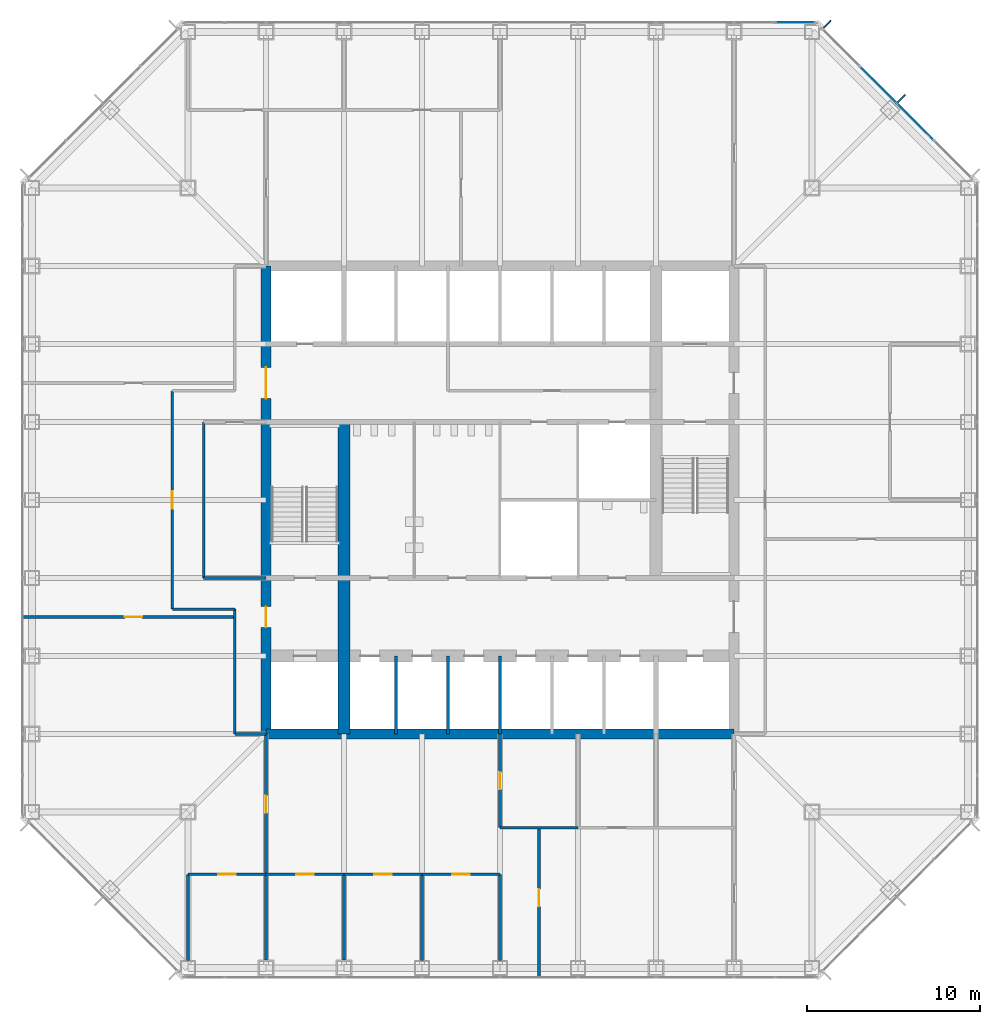
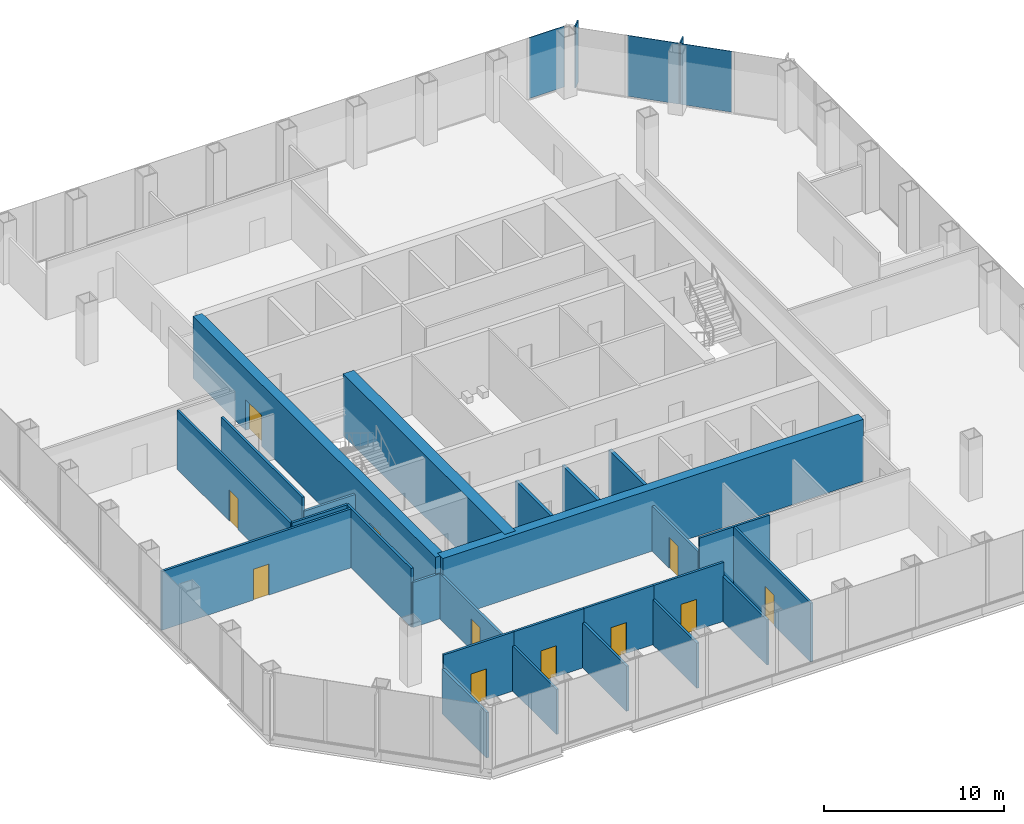
# One storey, part 8 of 12: 26 walls, 11 doors, 5 plates, 11 openings, 2 elements without a shape of their own.
"""IFC4 building model written with IfcOpenShell, lengths in metres."""

from ifc_helpers import new_model, si_unit, direction, frame, frame_2d, origin, origin_2d, place, context, subcontext, project, spatial, rectangle, extrude, material, layer, layer_set, type_object, element, fill, aggregate, save


model = new_model("IFC4")

# Units and contexts
model_context = context("Model", 3, precision=1e-05, world=origin(), true_north=direction((0.0, 1.0)))
body_context = subcontext(model_context, "Body", "Model", "MODEL_VIEW")
ifc_project = project(units=[si_unit("LENGTHUNIT", "METRE"), si_unit("AREAUNIT", "SQUARE_METRE"), si_unit("VOLUMEUNIT", "CUBIC_METRE"), si_unit("PLANEANGLEUNIT", "RADIAN"), si_unit("MASSUNIT", "GRAM", prefix="KILO")], contexts=[model_context])

# Site, building, storey
site_placement = place(None, origin())
site = spatial("IfcSite", under=ifc_project, at=site_placement, CompositionType="ELEMENT")
building_placement = place(site_placement, origin())
building = spatial("IfcBuilding", under=site, at=building_placement, Name="Corais Broadcast Tower", CompositionType="ELEMENT")
storey_placement = place(building_placement, frame((0.0, 0.0, 100.39990234375)))
storey = spatial("IfcBuildingStorey", under=building, at=storey_placement, Name="L22", CompositionType="ELEMENT", Elevation=100.39990234375)

# Curtain wall, plate
ifc_material_1 = material(Name="Aluminium and glass", Category="aluminium")
curtain_wall_type = type_object("IfcCurtainWallType", Name="Unitised fritted curtain wall CW1", PredefinedType="NOTDEFINED", material=ifc_material_1)
curtain_wall_1_placement = place(storey_placement, origin())
curtain_wall_1 = element("IfcCurtainWall", 1, at=curtain_wall_1_placement, inside=storey, type_object=curtain_wall_type, Name="CW1 curtain wall L22 5", PredefinedType="NOTDEFINED")
ifc_material_2 = material(Name="Ceramic-fritted laminated glass", Category="glass")
ifc_layer_1 = layer(ifc_material_2, 0.030029296875)
ifc_layer_set_1 = layer_set([ifc_layer_1], Name="Ceramic-fritted laminated glass")
plate_type_1 = type_object("IfcPlateType", Name="Fritted glass panel CW1", PredefinedType="CURTAIN_PANEL", material=ifc_layer_set_1)
plate_1_placement = place(storey_placement, frame((50.9658203125, 48.81201171875, 0.06494140625), z_axis=(0.0, 0.0, 1.0), x_axis=(0.707106781187, -0.707106781187, 0.0)))
plate_1 = element("IfcPlate", 2, at=plate_1_placement, type_object=plate_type_1, Name="CW1 panel 3", PredefinedType="CURTAIN_PANEL", context=body_context, shape_type="SweptSolid", body=[
    extrude(rectangle(XDim=2.98095703125, YDim=0.030029296875, at=origin_2d()), origin(), (0.0, 0.0, 1.0), 4.135009765625),
])

curtain_wall_2_placement = place(storey_placement, origin())
curtain_wall_2 = element("IfcCurtainWall", 3, at=curtain_wall_2_placement, inside=storey, type_object=curtain_wall_type, Name="CW1 curtain wall L22 4", PredefinedType="NOTDEFINED")
ifc_material_3 = material(Name="Clear laminated glass", Category="glass")
ifc_layer_2 = layer(ifc_material_3, 0.033935546875)
ifc_layer_set_2 = layer_set([ifc_layer_2], Name="Clear laminated glass")
plate_type_2 = type_object("IfcPlateType", Name="Operable glass panel CW1", PredefinedType="CURTAIN_PANEL", material=ifc_layer_set_2)
plate_2_placement = place(storey_placement, frame((44.029541015625, 54.550048828125, 0.06494140625), z_axis=(0.0, 0.0, 1.0), x_axis=(1.0, 0.0, 0.0)))
plate_2 = element("IfcPlate", 4, at=plate_2_placement, type_object=plate_type_2, Name="CW1 operable panel 10", PredefinedType="CURTAIN_PANEL", context=body_context, shape_type="SweptSolid", body=[
    extrude(rectangle(XDim=2.266357421875, YDim=0.033935546875, at=origin_2d()), origin(), (0.0, 0.0, 1.0), 4.135009765625),
])
aggregate(curtain_wall_2, [plate_2])

# Plate
plate_3_placement = place(storey_placement, frame((48.81201171875, 50.9658203125, 0.06494140625), z_axis=(0.0, 0.0, 1.0), x_axis=(0.707106781187, -0.707106781187, 0.0)))
plate_3 = element("IfcPlate", 5, at=plate_3_placement, type_object=plate_type_2, Name="CW1 operable panel 2", PredefinedType="CURTAIN_PANEL", context=body_context, shape_type="SweptSolid", body=[
    extrude(rectangle(XDim=2.98095703125, YDim=0.033935546875, at=origin_2d()), origin(), (0.0, 0.0, 1.0), 4.135009765625),
])

aggregate(curtain_wall_1, [plate_3, plate_1])

# Plates
ifc_material_4 = material(Name="Granite stone cladding", Category="masonry")
ifc_layer_3 = layer(ifc_material_4, 0.080078125)
ifc_layer_set_3 = layer_set([ifc_layer_3], Name="Granite stone cladding")
plate_type_3 = type_object("IfcPlateType", Name="Stone screen fin 80x600", PredefinedType="USERDEFINED", material=ifc_layer_set_3)
for number, where, z_axis, x_axis, name in (
    (6, (45.885009765625, 54.4541015625, 0.0), (0.0, 0.0, 1.0), (0.707106781187, -0.707106781187, 0.0), "SF1 stone screen fin L22"),
    (7, (50.169677734375, 50.169677734375, 0.0), (0.0, 0.0, 1.0), (0.707106781187, -0.707106781187, 0.0), "SF1 stone screen fin L22"),
):
    element("IfcPlate", number, at=place(storey_placement, frame(where, z_axis=z_axis, x_axis=x_axis)), inside=storey, type_object=plate_type_3, Name=name, ObjectType="STONE SCREEN FIN", PredefinedType="USERDEFINED", context=body_context, shape_type="SweptSolid", body=[
        extrude(rectangle(XDim=0.080078125, YDim=0.60009765625, at=origin_2d()), origin(), (0.0, 0.0, 1.0), 4.199951171875),
    ])

# Walls
ifc_material_5 = material(Name="Concrete C50/60", Category="concrete")
ifc_layer_4 = layer(ifc_material_5, 0.699951171875)
ifc_layer_set_4 = layer_set([ifc_layer_4], Name="Concrete C50/60")
wall_type_1 = type_object("IfcWallType", Name="Core spine wall 700", PredefinedType="SHEAR", material=ifc_layer_set_4)
wall_1_placement = place(storey_placement, frame((18.0, 13.5, 0.0), z_axis=(0.0, 0.0, 1.0), x_axis=(0.0, 1.0, 0.0)))
element("IfcWall", 8, at=wall_1_placement, inside=storey, type_object=wall_type_1, Name="CR700 core wall X18A L22", PredefinedType="SHEAR", context=body_context, shape_type="SweptSolid", body=[
    extrude(rectangle(XDim=18.0, YDim=0.699951171875, at=frame_2d((9.0, 0.0))), origin(), (0.0, 0.0, 1.0), 4.2001953125),
])
ifc_material_6 = material(Name="Concrete C50/60", Category="concrete")
ifc_layer_5 = layer(ifc_material_6, 0.60009765625)
ifc_layer_set_5 = layer_set([ifc_layer_5], Name="Concrete C50/60")
wall_type_2 = type_object("IfcWallType", Name="Core wall 600", PredefinedType="SHEAR", material=ifc_layer_set_5)
wall_2_placement = place(storey_placement, frame((13.5, 13.5, 0.0), z_axis=(0.0, 0.0, 1.0), x_axis=(1.0, 0.0, 0.0)))
element("IfcWall", 9, at=wall_2_placement, inside=storey, type_object=wall_type_2, Name="CR600 core wall S L22", PredefinedType="SHEAR", context=body_context, shape_type="SweptSolid", body=[
    extrude(rectangle(XDim=27.0, YDim=0.60009765625, at=frame_2d((13.5, 0.0))), origin(), (0.0, 0.0, 1.0), 4.2001953125),
])

# Wall, openings, doors
wall_3_placement = place(storey_placement, frame((13.5, 40.5, 0.0), z_axis=(0.0, 0.0, 1.0), x_axis=(0.0, -1.0, 0.0)))
wall_3 = element("IfcWall", 10, at=wall_3_placement, inside=storey, type_object=wall_type_2, Name="CR600 core wall W L22", PredefinedType="SHEAR", context=body_context, shape_type="SweptSolid", body=[
    extrude(rectangle(XDim=27.0, YDim=0.60009765625, at=frame_2d((13.5, 0.0))), origin(), (0.0, 0.0, 1.0), 4.2001953125),
])
opening_1_placement = place(wall_3_placement, frame((19.64990234375, 0.0, 0.0)))
opening_1 = element("IfcOpeningElement", 11, at=opening_1_placement, cuts=wall_3, Name="Opening FD1", PredefinedType="OPENING", context=body_context, shape_type="SweptSolid", body=[
    extrude(rectangle(XDim=1.199951171875, YDim=2.10009765625, at=frame_2d((0.60009765625, 1.050048828125))), frame((0.0, 0.31005859375, 0.0), z_axis=(0.0, -1.0, 0.0), x_axis=(1.0, 0.0, 0.0)), (0.0, 0.0, 1.0), 0.6201171875),
])
opening_2_placement = place(wall_3_placement, frame((5.85009765625, 0.0, 0.0)))
opening_2 = element("IfcOpeningElement", 12, at=opening_2_placement, cuts=wall_3, Name="Opening FD2", PredefinedType="OPENING", context=body_context, shape_type="SweptSolid", body=[
    extrude(rectangle(XDim=1.800048828125, YDim=2.10009765625, at=frame_2d((0.89990234375, 1.050048828125))), frame((0.0, 0.31005859375, 0.0), z_axis=(0.0, -1.0, 0.0), x_axis=(1.0, 0.0, 0.0)), (0.0, 0.0, 1.0), 0.6201171875),
])
ifc_material_7 = material(Name="Steel fire door", Category="steel")
door_type_1 = type_object("IfcDoorType", Name="Fire door 1200x2100", OperationType="SINGLE_SWING_LEFT", PredefinedType="DOOR", material=ifc_material_7)
door_1_placement = place(opening_1_placement, origin())
door_1 = element("IfcDoor", 13, at=door_1_placement, inside=storey, type_object=door_type_1, Name="FD1 fire lobby A door L22", OperationType="SINGLE_SWING_RIGHT", OverallHeight=2.10009765625, OverallWidth=1.199951171875, PredefinedType="DOOR", context=body_context, shape_type="SweptSolid", body=[
    extrude(rectangle(XDim=1.199951171875, YDim=2.10009765625, at=frame_2d((0.60009765625, 1.050048828125))), frame((0.0, 0.02490234375, 0.0), z_axis=(0.0, -1.0, 0.0), x_axis=(1.0, 0.0, 0.0)), (0.0, 0.0, 1.0), 0.050048828125),
])
fill(opening_1, door_1)
ifc_material_8 = material(Name="Steel fire door", Category="steel")
door_type_2 = type_object("IfcDoorType", Name="Fire door pair 1800x2100", OperationType="DOUBLE_DOOR_SINGLE_SWING", PredefinedType="DOOR", material=ifc_material_8)
door_2_placement = place(opening_2_placement, origin())
door_2 = element("IfcDoor", 14, at=door_2_placement, inside=storey, type_object=door_type_2, Name="FD2 lift lobby door L22", OperationType="SINGLE_SWING_LEFT", OverallHeight=2.10009765625, OverallWidth=1.800048828125, PredefinedType="DOOR", context=body_context, shape_type="SweptSolid", body=[
    extrude(rectangle(XDim=1.800048828125, YDim=2.10009765625, at=frame_2d((0.89990234375, 1.050048828125))), frame((0.0, 0.02490234375, 0.0), z_axis=(0.0, -1.0, 0.0), x_axis=(1.0, 0.0, 0.0)), (0.0, 0.0, 1.0), 0.050048828125),
])
fill(opening_2, door_2)

# Wall, opening, door
ifc_material_9 = material(Name="Gypsum board on steel studs", Category="steel")
ifc_layer_6 = layer(ifc_material_9, 0.14990234375)
ifc_layer_set_6 = layer_set([ifc_layer_6], Name="Gypsum board on steel studs")
wall_type_3 = type_object("IfcWallType", Name="Partition 150", PredefinedType="PARTITIONING", material=ifc_layer_set_6)
wall_4_placement = place(storey_placement, frame((8.10009765625, 33.300048828125, 0.0), z_axis=(0.0, 0.0, 1.0), x_axis=(0.0, -1.0, 0.0)))
wall_4 = element("IfcWall", 15, at=wall_4_placement, inside=storey, type_object=wall_type_3, Name="IW3 corridor wall L22", PredefinedType="PARTITIONING", context=body_context, shape_type="SweptSolid", body=[
    extrude(rectangle(XDim=12.60009765625, YDim=0.14990234375, at=frame_2d((6.300048828125, 0.0))), origin(), (0.0, 0.0, 1.0), 4.0),
])
opening_3_placement = place(wall_4_placement, frame((5.800048828125, 0.0, 0.0)))
opening_3 = element("IfcOpeningElement", 16, at=opening_3_placement, cuts=wall_4, Name="Opening D1", PredefinedType="OPENING", context=body_context, shape_type="SweptSolid", body=[
    extrude(rectangle(XDim=1.0, YDim=2.10009765625, at=frame_2d((0.5, 1.050048828125))), frame((0.0, 0.0849609375, 0.0), z_axis=(0.0, -1.0, 0.0), x_axis=(1.0, 0.0, 0.0)), (0.0, 0.0, 1.0), 0.169921875),
])
ifc_material_10 = material(Name="Timber door", Category="wood")
door_type_3 = type_object("IfcDoorType", Name="Single door 1000x2100", OperationType="SINGLE_SWING_LEFT", PredefinedType="DOOR", material=ifc_material_10)
door_3_placement = place(opening_3_placement, origin())
door_3 = element("IfcDoor", 17, at=door_3_placement, inside=storey, type_object=door_type_3, Name="D1 workplace door L22", OperationType="SINGLE_SWING_LEFT", OverallHeight=2.10009765625, OverallWidth=1.0, PredefinedType="DOOR", context=body_context, shape_type="SweptSolid", body=[
    extrude(rectangle(XDim=1.0, YDim=2.10009765625, at=frame_2d((0.5, 1.050048828125))), frame((0.0, 0.02490234375, 0.0), z_axis=(0.0, -1.0, 0.0), x_axis=(1.0, 0.0, 0.0)), (0.0, 0.0, 1.0), 0.050048828125),
])
fill(opening_3, door_3)

# Walls
wall_5_placement = place(storey_placement, frame((11.699951171875, 20.699951171875, 0.0), z_axis=(0.0, 0.0, 1.0), x_axis=(0.0, -1.0, 0.0)))
element("IfcWall", 18, at=wall_5_placement, inside=storey, type_object=wall_type_3, Name="IW3 corridor wall L22", PredefinedType="PARTITIONING", context=body_context, shape_type="SweptSolid", body=[
    extrude(rectangle(XDim=7.199951171875, YDim=0.14990234375, at=frame_2d((3.60009765625, 0.0))), origin(), (0.0, 0.0, 1.0), 4.0),
])
wall_6_placement = place(storey_placement, frame((8.10009765625, 20.699951171875, 0.0), z_axis=(0.0, 0.0, 1.0), x_axis=(1.0, 0.0, 0.0)))
element("IfcWall", 19, at=wall_6_placement, inside=storey, type_object=wall_type_3, Name="IW3 corridor wall L22", PredefinedType="PARTITIONING", context=body_context, shape_type="SweptSolid", body=[
    extrude(rectangle(XDim=3.599853515625, YDim=0.14990234375, at=frame_2d((1.7998046875, 0.0))), origin(), (0.0, 0.0, 1.0), 4.0),
])
wall_7_placement = place(storey_placement, frame((11.699951171875, 13.5, 0.0), z_axis=(0.0, 0.0, 1.0), x_axis=(1.0, 0.0, 0.0)))
element("IfcWall", 20, at=wall_7_placement, inside=storey, type_object=wall_type_3, Name="IW3 corridor wall L22", PredefinedType="PARTITIONING", context=body_context, shape_type="SweptSolid", body=[
    extrude(rectangle(XDim=1.81005859375, YDim=0.14990234375, at=frame_2d((0.905029296875, 0.0))), origin(), (0.0, 0.0, 1.0), 3.068115234375),
])
wall_8_placement = place(storey_placement, frame((13.5, 0.4599609375, 0.0), z_axis=(0.0, 0.0, 1.0), x_axis=(0.0, 1.0, 0.0)))
element("IfcWall", 21, at=wall_8_placement, inside=storey, type_object=wall_type_3, Name="IW3 partition L22", PredefinedType="PARTITIONING", context=body_context, shape_type="SweptSolid", body=[
    extrude(rectangle(XDim=4.93994140625, YDim=0.14990234375, at=frame_2d((2.469970703125, 0.0))), origin(), (0.0, 0.0, 1.0), 3.068115234375),
])

# Wall, opening, door
wall_9_placement = place(storey_placement, frame((13.5, 5.39990234375, 0.0), z_axis=(0.0, 0.0, 1.0), x_axis=(-1.0, 0.0, 0.0)))
wall_9 = element("IfcWall", 22, at=wall_9_placement, inside=storey, type_object=wall_type_3, Name="IW3 partition L22", PredefinedType="PARTITIONING", context=body_context, shape_type="SweptSolid", body=[
    extrude(rectangle(XDim=4.5, YDim=0.14990234375, at=frame_2d((2.25, 0.0))), origin(), (0.0, 0.0, 1.0), 4.0),
])
opening_4_placement = place(wall_9_placement, frame((1.75, 0.0, 0.0)))
opening_4 = element("IfcOpeningElement", 23, at=opening_4_placement, cuts=wall_9, Name="Opening D1", PredefinedType="OPENING", context=body_context, shape_type="SweptSolid", body=[
    extrude(rectangle(XDim=1.0, YDim=2.10009765625, at=frame_2d((0.5, 1.050048828125))), frame((0.0, 0.0849609375, 0.0), z_axis=(0.0, -1.0, 0.0), x_axis=(1.0, 0.0, 0.0)), (0.0, 0.0, 1.0), 0.169921875),
])
door_4_placement = place(opening_4_placement, origin())
door_4 = element("IfcDoor", 24, at=door_4_placement, inside=storey, type_object=door_type_3, Name="D1 Study room door", OperationType="SINGLE_SWING_LEFT", OverallHeight=2.10009765625, OverallWidth=1.0, PredefinedType="DOOR", context=body_context, shape_type="SweptSolid", body=[
    extrude(rectangle(XDim=1.0, YDim=2.10009765625, at=frame_2d((0.5, 1.050048828125))), frame((0.0, 0.02490234375, 0.0), z_axis=(0.0, -1.0, 0.0), x_axis=(1.0, 0.0, 0.0)), (0.0, 0.0, 1.0), 0.050048828125),
])
fill(opening_4, door_4)

# Walls
wall_10_placement = place(storey_placement, frame((9.0, 5.39990234375, 0.0), z_axis=(0.0, 0.0, 1.0), x_axis=(0.0, -1.0, 0.0)))
element("IfcWall", 25, at=wall_10_placement, inside=storey, type_object=wall_type_3, Name="IW3 partition L22", PredefinedType="PARTITIONING", context=body_context, shape_type="SweptSolid", body=[
    extrude(rectangle(XDim=4.96484375, YDim=0.14990234375, at=frame_2d((2.482421875, 0.0))), origin(), (0.0, 0.0, 1.0), 3.072998046875),
])
wall_11_placement = place(storey_placement, frame((18.0, 0.4599609375, 0.0), z_axis=(0.0, 0.0, 1.0), x_axis=(0.0, 1.0, 0.0)))
element("IfcWall", 26, at=wall_11_placement, inside=storey, type_object=wall_type_3, Name="IW3 partition L22", PredefinedType="PARTITIONING", context=body_context, shape_type="SweptSolid", body=[
    extrude(rectangle(XDim=4.93994140625, YDim=0.14990234375, at=frame_2d((2.469970703125, 0.0))), origin(), (0.0, 0.0, 1.0), 3.068115234375),
])

# Wall, opening, door
wall_12_placement = place(storey_placement, frame((18.0, 5.39990234375, 0.0), z_axis=(0.0, 0.0, 1.0), x_axis=(-1.0, 0.0, 0.0)))
wall_12 = element("IfcWall", 27, at=wall_12_placement, inside=storey, type_object=wall_type_3, Name="IW3 partition L22", PredefinedType="PARTITIONING", context=body_context, shape_type="SweptSolid", body=[
    extrude(rectangle(XDim=4.5, YDim=0.14990234375, at=frame_2d((2.25, 0.0))), origin(), (0.0, 0.0, 1.0), 4.0),
])
opening_5_placement = place(wall_12_placement, frame((1.75, 0.0, 0.0)))
opening_5 = element("IfcOpeningElement", 28, at=opening_5_placement, cuts=wall_12, Name="Opening D1", PredefinedType="OPENING", context=body_context, shape_type="SweptSolid", body=[
    extrude(rectangle(XDim=1.0, YDim=2.10009765625, at=frame_2d((0.5, 1.050048828125))), frame((0.0, 0.0849609375, 0.0), z_axis=(0.0, -1.0, 0.0), x_axis=(1.0, 0.0, 0.0)), (0.0, 0.0, 1.0), 0.169921875),
])
door_5_placement = place(opening_5_placement, origin())
door_5 = element("IfcDoor", 29, at=door_5_placement, inside=storey, type_object=door_type_3, Name="D1 Study room door", OperationType="SINGLE_SWING_LEFT", OverallHeight=2.10009765625, OverallWidth=1.0, PredefinedType="DOOR", context=body_context, shape_type="SweptSolid", body=[
    extrude(rectangle(XDim=1.0, YDim=2.10009765625, at=frame_2d((0.5, 1.050048828125))), frame((0.0, 0.02490234375, 0.0), z_axis=(0.0, -1.0, 0.0), x_axis=(1.0, 0.0, 0.0)), (0.0, 0.0, 1.0), 0.050048828125),
])
fill(opening_5, door_5)

# Wall
wall_13_placement = place(storey_placement, frame((22.5, 0.43505859375, 0.0), z_axis=(0.0, 0.0, 1.0), x_axis=(0.0, 1.0, 0.0)))
element("IfcWall", 30, at=wall_13_placement, inside=storey, type_object=wall_type_3, Name="IW3 partition L22", PredefinedType="PARTITIONING", context=body_context, shape_type="SweptSolid", body=[
    extrude(rectangle(XDim=4.96484375, YDim=0.14990234375, at=frame_2d((2.482421875, 0.0))), origin(), (0.0, 0.0, 1.0), 3.068115234375),
])

# Wall, opening, door
wall_14_placement = place(storey_placement, frame((22.5, 5.39990234375, 0.0), z_axis=(0.0, 0.0, 1.0), x_axis=(-1.0, 0.0, 0.0)))
wall_14 = element("IfcWall", 31, at=wall_14_placement, inside=storey, type_object=wall_type_3, Name="IW3 partition L22", PredefinedType="PARTITIONING", context=body_context, shape_type="SweptSolid", body=[
    extrude(rectangle(XDim=4.5, YDim=0.14990234375, at=frame_2d((2.25, 0.0))), origin(), (0.0, 0.0, 1.0), 4.0),
])
opening_6_placement = place(wall_14_placement, frame((1.75, 0.0, 0.0)))
opening_6 = element("IfcOpeningElement", 32, at=opening_6_placement, cuts=wall_14, Name="Opening D1", PredefinedType="OPENING", context=body_context, shape_type="SweptSolid", body=[
    extrude(rectangle(XDim=1.0, YDim=2.10009765625, at=frame_2d((0.5, 1.050048828125))), frame((0.0, 0.0849609375, 0.0), z_axis=(0.0, -1.0, 0.0), x_axis=(1.0, 0.0, 0.0)), (0.0, 0.0, 1.0), 0.169921875),
])
door_6_placement = place(opening_6_placement, origin())
door_6 = element("IfcDoor", 33, at=door_6_placement, inside=storey, type_object=door_type_3, Name="D1 Study room door", OperationType="SINGLE_SWING_LEFT", OverallHeight=2.10009765625, OverallWidth=1.0, PredefinedType="DOOR", context=body_context, shape_type="SweptSolid", body=[
    extrude(rectangle(XDim=1.0, YDim=2.10009765625, at=frame_2d((0.5, 1.050048828125))), frame((0.0, 0.02490234375, 0.0), z_axis=(0.0, -1.0, 0.0), x_axis=(1.0, 0.0, 0.0)), (0.0, 0.0, 1.0), 0.050048828125),
])
fill(opening_6, door_6)

# Wall
wall_15_placement = place(storey_placement, frame((27.0, 0.43505859375, 0.0), z_axis=(0.0, 0.0, 1.0), x_axis=(0.0, 1.0, 0.0)))
element("IfcWall", 34, at=wall_15_placement, inside=storey, type_object=wall_type_3, Name="IW3 partition L22", PredefinedType="PARTITIONING", context=body_context, shape_type="SweptSolid", body=[
    extrude(rectangle(XDim=4.96484375, YDim=0.14990234375, at=frame_2d((2.482421875, 0.0))), origin(), (0.0, 0.0, 1.0), 3.068115234375),
])

# Wall, opening, door
wall_16_placement = place(storey_placement, frame((27.0, 5.39990234375, 0.0), z_axis=(0.0, 0.0, 1.0), x_axis=(-1.0, 0.0, 0.0)))
wall_16 = element("IfcWall", 35, at=wall_16_placement, inside=storey, type_object=wall_type_3, Name="IW3 partition L22", PredefinedType="PARTITIONING", context=body_context, shape_type="SweptSolid", body=[
    extrude(rectangle(XDim=4.5, YDim=0.14990234375, at=frame_2d((2.25, 0.0))), origin(), (0.0, 0.0, 1.0), 4.0),
])
opening_7_placement = place(wall_16_placement, frame((1.75, 0.0, 0.0)))
opening_7 = element("IfcOpeningElement", 36, at=opening_7_placement, cuts=wall_16, Name="Opening D1", PredefinedType="OPENING", context=body_context, shape_type="SweptSolid", body=[
    extrude(rectangle(XDim=1.0, YDim=2.10009765625, at=frame_2d((0.5, 1.050048828125))), frame((0.0, 0.0849609375, 0.0), z_axis=(0.0, -1.0, 0.0), x_axis=(1.0, 0.0, 0.0)), (0.0, 0.0, 1.0), 0.169921875),
])
door_7_placement = place(opening_7_placement, origin())
door_7 = element("IfcDoor", 37, at=door_7_placement, inside=storey, type_object=door_type_3, Name="D1 Study room door", OperationType="SINGLE_SWING_LEFT", OverallHeight=2.10009765625, OverallWidth=1.0, PredefinedType="DOOR", context=body_context, shape_type="SweptSolid", body=[
    extrude(rectangle(XDim=1.0, YDim=2.10009765625, at=frame_2d((0.5, 1.050048828125))), frame((0.0, 0.02490234375, 0.0), z_axis=(0.0, -1.0, 0.0), x_axis=(1.0, 0.0, 0.0)), (0.0, 0.0, 1.0), 0.050048828125),
])
fill(opening_7, door_7)

# Walls
wall_17_placement = place(storey_placement, frame((9.89990234375, 22.5, 0.0), z_axis=(0.0, 0.0, 1.0), x_axis=(1.0, 0.0, 0.0)))
element("IfcWall", 38, at=wall_17_placement, inside=storey, type_object=wall_type_3, Name="IW3 partition L22", PredefinedType="PARTITIONING", context=body_context, shape_type="SweptSolid", body=[
    extrude(rectangle(XDim=3.60009765625, YDim=0.14990234375, at=frame_2d((1.800048828125, 0.0))), origin(), (0.0, 0.0, 1.0), 3.068115234375),
])
wall_18_placement = place(storey_placement, frame((9.89990234375, 31.5, 0.0), z_axis=(0.0, 0.0, 1.0), x_axis=(0.0, -1.0, 0.0)))
element("IfcWall", 39, at=wall_18_placement, inside=storey, type_object=wall_type_3, Name="IW3 partition L22", PredefinedType="PARTITIONING", context=body_context, shape_type="SweptSolid", body=[
    extrude(rectangle(XDim=9.0, YDim=0.14990234375, at=frame_2d((4.5, 0.0))), origin(), (0.0, 0.0, 1.0), 4.0),
])
wall_19_placement = place(storey_placement, frame((27.0, 8.10009765625, 0.0), z_axis=(0.0, 0.0, 1.0), x_axis=(1.0, 0.0, 0.0)))
element("IfcWall", 40, at=wall_19_placement, inside=storey, type_object=wall_type_3, Name="IW3 partition L22", PredefinedType="PARTITIONING", context=body_context, shape_type="SweptSolid", body=[
    extrude(rectangle(XDim=4.5, YDim=0.14990234375, at=frame_2d((2.25, 0.0))), origin(), (0.0, 0.0, 1.0), 4.0),
])

# Wall, opening, door
wall_20_placement = place(storey_placement, frame((27.0, 13.5, 0.0), z_axis=(0.0, 0.0, 1.0), x_axis=(0.0, -1.0, 0.0)))
wall_20 = element("IfcWall", 41, at=wall_20_placement, inside=storey, type_object=wall_type_3, Name="IW3 partition L22", PredefinedType="PARTITIONING", context=body_context, shape_type="SweptSolid", body=[
    extrude(rectangle(XDim=5.39990234375, YDim=0.14990234375, at=frame_2d((2.699951171875, 0.0))), origin(), (0.0, 0.0, 1.0), 3.068115234375),
])
opening_8_placement = place(wall_20_placement, frame((2.199951171875, 0.0, 0.0)))
opening_8 = element("IfcOpeningElement", 42, at=opening_8_placement, cuts=wall_20, Name="Opening D1", PredefinedType="OPENING", context=body_context, shape_type="SweptSolid", body=[
    extrude(rectangle(XDim=1.0, YDim=2.10009765625, at=frame_2d((0.5, 1.050048828125))), frame((0.0, 0.0849609375, 0.0), z_axis=(0.0, -1.0, 0.0), x_axis=(1.0, 0.0, 0.0)), (0.0, 0.0, 1.0), 0.169921875),
])
door_8_placement = place(opening_8_placement, origin())
door_8 = element("IfcDoor", 43, at=door_8_placement, inside=storey, type_object=door_type_3, Name="D1 Tutor office door", OperationType="SINGLE_SWING_LEFT", OverallHeight=2.10009765625, OverallWidth=1.0, PredefinedType="DOOR", context=body_context, shape_type="SweptSolid", body=[
    extrude(rectangle(XDim=1.0, YDim=2.10009765625, at=frame_2d((0.5, 1.050048828125))), frame((0.0, 0.02490234375, 0.0), z_axis=(0.0, -1.0, 0.0), x_axis=(1.0, 0.0, 0.0)), (0.0, 0.0, 1.0), 0.050048828125),
])
fill(opening_8, door_8)

wall_21_placement = place(storey_placement, frame((29.25, 8.10009765625, 0.0), z_axis=(0.0, 0.0, 1.0), x_axis=(0.0, -1.0, 0.0)))
wall_21 = element("IfcWall", 44, at=wall_21_placement, inside=storey, type_object=wall_type_3, Name="IW3 partition L22", PredefinedType="PARTITIONING", context=body_context, shape_type="SweptSolid", body=[
    extrude(rectangle(XDim=8.6201171875, YDim=0.14990234375, at=frame_2d((4.31005859375, 0.0))), origin(), (0.0, 0.0, 1.0), 4.0),
])
opening_9_placement = place(wall_21_placement, frame((3.550048828125, 0.0, 0.0)))
opening_9 = element("IfcOpeningElement", 45, at=opening_9_placement, cuts=wall_21, Name="Opening D1", PredefinedType="OPENING", context=body_context, shape_type="SweptSolid", body=[
    extrude(rectangle(XDim=1.0, YDim=2.10009765625, at=frame_2d((0.5, 1.050048828125))), frame((0.0, 0.0849609375, 0.0), z_axis=(0.0, -1.0, 0.0), x_axis=(1.0, 0.0, 0.0)), (0.0, 0.0, 1.0), 0.169921875),
])
door_9_placement = place(opening_9_placement, origin())
door_9 = element("IfcDoor", 46, at=door_9_placement, inside=storey, type_object=door_type_3, Name="D1 team room door L22", OperationType="SINGLE_SWING_LEFT", OverallHeight=2.10009765625, OverallWidth=1.0, PredefinedType="DOOR", context=body_context, shape_type="SweptSolid", body=[
    extrude(rectangle(XDim=1.0, YDim=2.10009765625, at=frame_2d((0.5, 1.050048828125))), frame((0.0, 0.02490234375, 0.0), z_axis=(0.0, -1.0, 0.0), x_axis=(1.0, 0.0, 0.0)), (0.0, 0.0, 1.0), 0.050048828125),
])
fill(opening_9, door_9)

wall_22_placement = place(storey_placement, frame((13.5, 5.39990234375, 0.0), z_axis=(0.0, 0.0, 1.0), x_axis=(0.0, 1.0, 0.0)))
wall_22 = element("IfcWall", 47, at=wall_22_placement, inside=storey, type_object=wall_type_3, Name="IW3 partition L22", PredefinedType="PARTITIONING", context=body_context, shape_type="SweptSolid", body=[
    extrude(rectangle(XDim=8.10009765625, YDim=0.14990234375, at=frame_2d((4.050048828125, 0.0))), origin(), (0.0, 0.0, 1.0), 3.068115234375),
])
opening_10_placement = place(wall_22_placement, frame((3.550048828125, 0.0, 0.0)))
opening_10 = element("IfcOpeningElement", 48, at=opening_10_placement, cuts=wall_22, Name="Opening D1", PredefinedType="OPENING", context=body_context, shape_type="SweptSolid", body=[
    extrude(rectangle(XDim=1.0, YDim=2.10009765625, at=frame_2d((0.5, 1.050048828125))), frame((0.0, 0.0849609375, 0.0), z_axis=(0.0, -1.0, 0.0), x_axis=(1.0, 0.0, 0.0)), (0.0, 0.0, 1.0), 0.169921875),
])
door_10_placement = place(opening_10_placement, origin())
door_10 = element("IfcDoor", 49, at=door_10_placement, inside=storey, type_object=door_type_3, Name="D1 team room door L22", OperationType="SINGLE_SWING_LEFT", OverallHeight=2.10009765625, OverallWidth=1.0, PredefinedType="DOOR", context=body_context, shape_type="SweptSolid", body=[
    extrude(rectangle(XDim=1.0, YDim=2.10009765625, at=frame_2d((0.5, 1.050048828125))), frame((0.0, 0.02490234375, 0.0), z_axis=(0.0, -1.0, 0.0), x_axis=(1.0, 0.0, 0.0)), (0.0, 0.0, 1.0), 0.050048828125),
])
fill(opening_10, door_10)

wall_23_placement = place(storey_placement, frame((11.699951171875, 20.25, 0.0), z_axis=(0.0, 0.0, 1.0), x_axis=(-1.0, 0.0, 0.0)))
wall_23 = element("IfcWall", 50, at=wall_23_placement, inside=storey, type_object=wall_type_3, Name="IW3 partition L22", PredefinedType="PARTITIONING", context=body_context, shape_type="SweptSolid", body=[
    extrude(rectangle(XDim=12.219970703125, YDim=0.14990234375, at=frame_2d((6.10986328125, 0.0))), origin(), (0.0, 0.0, 1.0), 4.0),
])
opening_11_placement = place(wall_23_placement, frame((5.35009765625, 0.0, 0.0)))
opening_11 = element("IfcOpeningElement", 51, at=opening_11_placement, cuts=wall_23, Name="Opening D1", PredefinedType="OPENING", context=body_context, shape_type="SweptSolid", body=[
    extrude(rectangle(XDim=1.0, YDim=2.10009765625, at=frame_2d((0.5, 1.050048828125))), frame((0.0, 0.0849609375, 0.0), z_axis=(0.0, -1.0, 0.0), x_axis=(1.0, 0.0, 0.0)), (0.0, 0.0, 1.0), 0.169921875),
])
door_11_placement = place(opening_11_placement, origin())
door_11 = element("IfcDoor", 52, at=door_11_placement, inside=storey, type_object=door_type_3, Name="D1 team room door L22", OperationType="SINGLE_SWING_LEFT", OverallHeight=2.10009765625, OverallWidth=1.0, PredefinedType="DOOR", context=body_context, shape_type="SweptSolid", body=[
    extrude(rectangle(XDim=1.0, YDim=2.10009765625, at=frame_2d((0.5, 1.050048828125))), frame((0.0, 0.02490234375, 0.0), z_axis=(0.0, -1.0, 0.0), x_axis=(1.0, 0.0, 0.0)), (0.0, 0.0, 1.0), 0.050048828125),
])
fill(opening_11, door_11)

# Walls
ifc_material_11 = material(Name="Concrete blockwork class A, grouted, two-hour", Category="masonry")
ifc_layer_7 = layer(ifc_material_11, 0.199951171875)
ifc_layer_set_7 = layer_set([ifc_layer_7], Name="Concrete blockwork class A, grouted, two-hour")
wall_type_4 = type_object("IfcWallType", Name="Shaft wall 200", PredefinedType="PARTITIONING", material=ifc_layer_set_7)
for number, where, z_axis, x_axis, name in (
    (53, (21.0, 13.5, 0.0), (0.0, 0.0, 1.0), (0.0, 1.0, 0.0), "IW1 shaft wall L22"),
    (54, (24.0, 13.5, 0.0), (0.0, 0.0, 1.0), (0.0, 1.0, 0.0), "IW1 shaft wall L22"),
    (55, (27.0, 13.5, 0.0), (0.0, 0.0, 1.0), (0.0, 1.0, 0.0), "IW1 shaft wall L22"),
):
    element("IfcWall", number, at=place(storey_placement, frame(where, z_axis=z_axis, x_axis=x_axis)), inside=storey, type_object=wall_type_4, Name=name, PredefinedType="PARTITIONING", context=body_context, shape_type="SweptSolid", body=[
        extrude(rectangle(XDim=4.5, YDim=0.199951171875, at=frame_2d((2.25, 0.0))), origin(), (0.0, 0.0, 1.0), 4.0),
    ])

save(model, "model.ifc")
